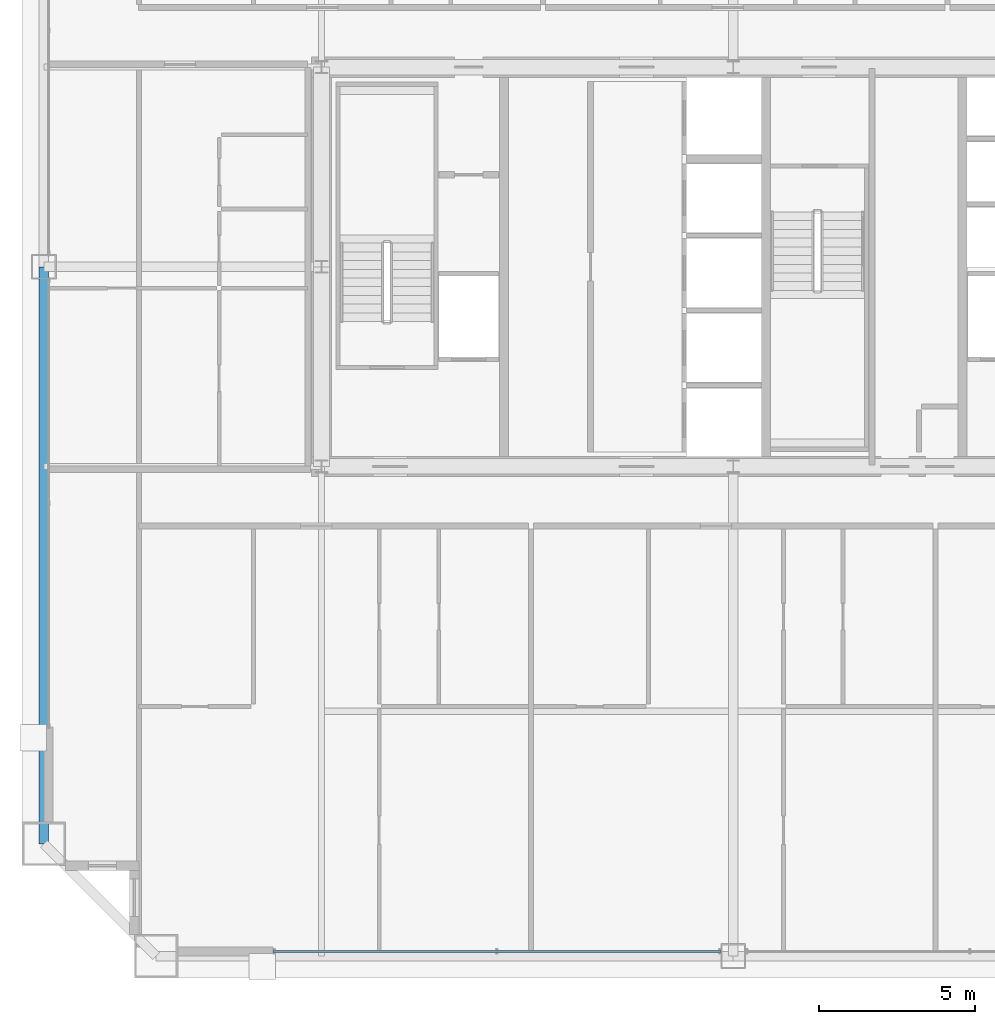
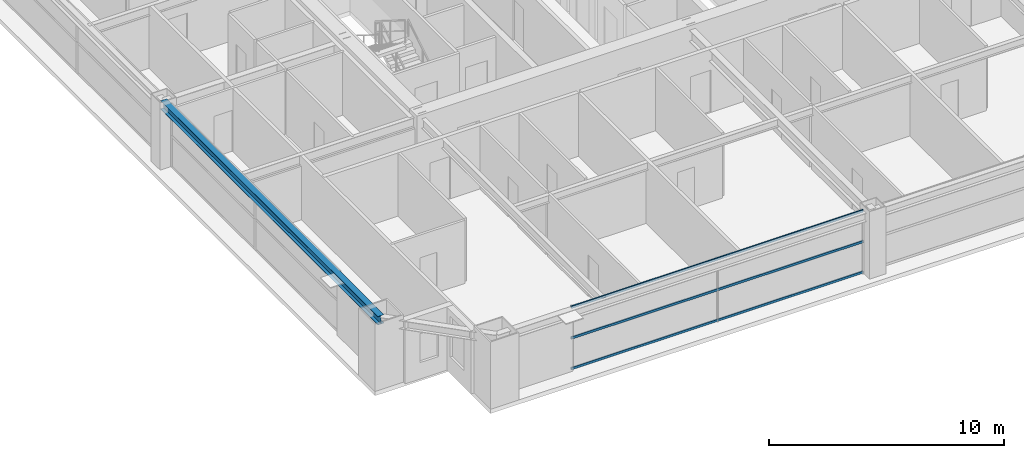
# One storey, part 7 of 38: 3 members, 1 beam, 1 element without a shape of its own.
"""IFC4 building model written with IfcOpenShell, lengths in metres."""

from ifc_helpers import new_model, si_unit, direction, frame, origin, origin_2d, place, context, subcontext, project, spatial, hollow_rectangle, i_section, extrude, source, transform, mapped, material, layer, layer_set, material_profile, profile_set, type_object, element, aggregate, save


model = new_model("IFC4")

# Units and contexts
model_context = context("Model", 3, precision=1e-05, world=origin(), true_north=direction((0.0, 1.0)))
body_context = subcontext(model_context, "Body", "Model", "MODEL_VIEW")
ifc_project = project(units=[si_unit("LENGTHUNIT", "METRE"), si_unit("AREAUNIT", "SQUARE_METRE"), si_unit("VOLUMEUNIT", "CUBIC_METRE"), si_unit("PLANEANGLEUNIT", "RADIAN"), si_unit("MASSUNIT", "GRAM", prefix="KILO"), si_unit("THERMODYNAMICTEMPERATUREUNIT", "KELVIN"), si_unit("POWERUNIT", "WATT")], contexts=[model_context])

# Site, building, storey
site_placement = place(None, origin())
site = spatial("IfcSite", under=ifc_project, at=site_placement, CompositionType="ELEMENT")
building_placement = place(site_placement, origin())
building = spatial("IfcBuilding", under=site, at=building_placement, Name="Yuzanri Waterfront Tower", CompositionType="ELEMENT")
storey_placement = place(building_placement, frame((0.0, 0.0, 209.0)))
storey = spatial("IfcBuildingStorey", under=building, at=storey_placement, Name="L55", CompositionType="ELEMENT", Elevation=209.0)

# Beam
ifc_material_1 = material(Name="Steel Q355B", Category="steel")
ifc_material_profile_1 = material_profile(ifc_material_1, i_section(OverallWidth=0.300048828125, OverallDepth=0.43994140625, WebThickness=0.010986328125, FlangeThickness=0.01806640625, at=origin_2d()), Name="HM 440x300x11x18")
ifc_profile_set_1 = profile_set([ifc_material_profile_1], Name="Steel Q355B")
beam_type = type_object("IfcBeamType", Name="Perimeter Spandrel Q355B HM 440x300", PredefinedType="SPANDREL", material=ifc_profile_set_1)
shared_shape_1 = source(origin(), body_context, "Body", "SweptSolid", [
    extrude(i_section(OverallWidth=0.300048828125, OverallDepth=0.43994140625, WebThickness=0.010986328125, FlangeThickness=0.01806640625, at=origin_2d()), origin(), (0.0, 0.0, 1.0), 18.5),
])
beam_placement = place(storey_placement, frame((14.89990234375, 25.800048828125, 3.06005859375), z_axis=(0.0, -1.0, 0.0), x_axis=(1.0, 0.0, 0.0)))
element("IfcBeam", 1, at=beam_placement, inside=storey, type_object=beam_type, Name="L55 Perimeter Spandrel W2-W1", PredefinedType="SPANDREL", context=body_context, shape_type="MappedRepresentation", body=[
    mapped(shared_shape_1, transform((0.0, 0.0, 0.0), scale=1.0)),
])

# Curtain wall, members
ifc_material_2 = material(Name="Anodized Architectural Bronze", Category="metal")
ifc_layer = layer(ifc_material_2, 0.159912109375)
ifc_layer_set = layer_set([ifc_layer], Name="Anodized Architectural Bronze")
curtain_wall_type = type_object("IfcCurtainWallType", Name="Anodized Bronze Mid-Rise Residential Acoustic Unitized Curtain Wall 7200", PredefinedType="NOTDEFINED", material=ifc_layer_set)
curtain_wall_placement = place(storey_placement, origin())
curtain_wall = element("IfcCurtainWall", 2, at=curtain_wall_placement, inside=storey, type_object=curtain_wall_type, Name="L55 Curtain Wall CW-L55-SL", PredefinedType="NOTDEFINED")
ifc_material_3 = material(Name="Anodized Architectural Bronze", Category="metal")
ifc_material_profile_2 = material_profile(ifc_material_3, hollow_rectangle(XDim=0.06494140625, YDim=0.1201171875, WallThickness=0.00341796875, at=origin_2d()), Name="CWT 65x120")
ifc_profile_set_2 = profile_set([ifc_material_profile_2], Name="Anodized Architectural Bronze")
member_type = type_object("IfcMemberType", Name="Anodized Bronze Secondary Curtain-Wall Transom 65x120", PredefinedType="USERDEFINED", material=ifc_profile_set_2)
shared_shape_2 = source(origin(), body_context, "Body", "SweptSolid", [
    extrude(hollow_rectangle(XDim=0.06494140625, YDim=0.1201171875, WallThickness=0.00341796875, at=origin_2d()), origin(), (0.0, 0.0, 1.0), 14.35009765625),
])
member_1_placement = place(storey_placement, frame((22.25, 3.85009765625, 0.050048828125), z_axis=(1.0, 0.0, 0.0), x_axis=(0.0, 1.0, 0.0)))
member_1 = element("IfcMember", 3, at=member_1_placement, type_object=member_type, Name="CW-L55-SL Transom 1", ObjectType="TRANSOM", PredefinedType="USERDEFINED", context=body_context, shape_type="MappedRepresentation", body=[
    mapped(shared_shape_2, transform((0.0, 0.0, 0.0), scale=1.0)),
])
member_2_placement = place(storey_placement, frame((22.25, 3.85009765625, 1.639892578125), z_axis=(1.0, 0.0, 0.0), x_axis=(0.0, 1.0, 0.0)))
member_2 = element("IfcMember", 4, at=member_2_placement, type_object=member_type, Name="CW-L55-SL Transom 2", ObjectType="TRANSOM", PredefinedType="USERDEFINED", context=body_context, shape_type="MappedRepresentation", body=[
    mapped(shared_shape_2, transform((0.0, 0.0, 0.0), scale=1.0)),
])
member_3_placement = place(storey_placement, frame((22.25, 3.85009765625, 3.22998046875), z_axis=(1.0, 0.0, 0.0), x_axis=(0.0, 1.0, 0.0)))
member_3 = element("IfcMember", 5, at=member_3_placement, type_object=member_type, Name="CW-L55-SL Transom 3", ObjectType="TRANSOM", PredefinedType="USERDEFINED", context=body_context, shape_type="MappedRepresentation", body=[
    mapped(shared_shape_2, transform((0.0, 0.0, 0.0), scale=1.0)),
])
aggregate(curtain_wall, [member_1, member_2, member_3])

save(model, "model.ifc")
